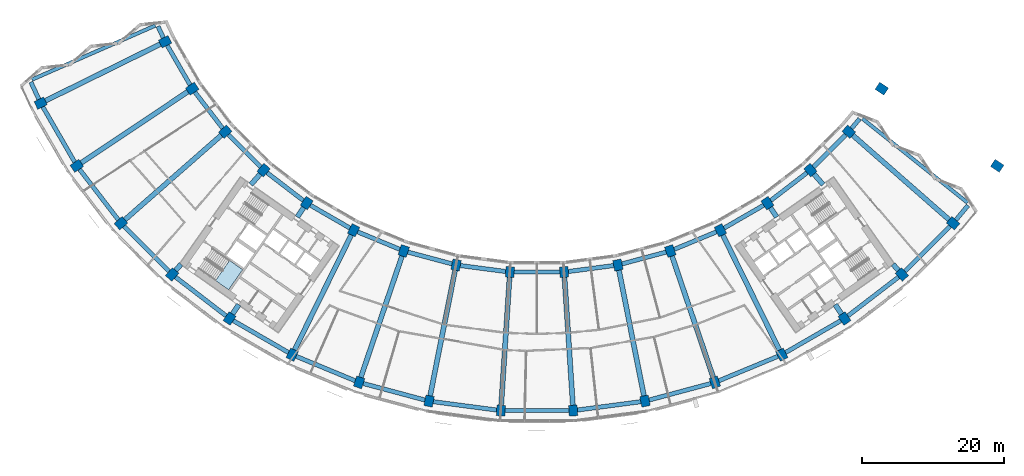
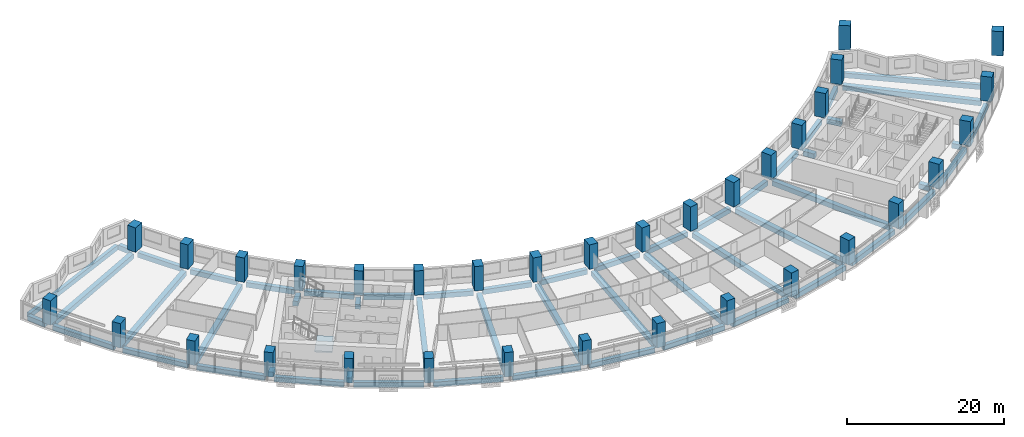
# One storey, part 1 of 29: 56 beams, 34 columns, 1 slab, 1 element without a shape of its own.
"""IFC4 building model written with IfcOpenShell, lengths in metres."""

import ifcopenshell
import ifcopenshell.guid

model = None  # the IFC model being written
_history = None  # IfcOwnerHistory: only IFC2X3 demands one
_inside = {}  # id of a spatial element -> (the spatial element, [elements in it])
_under = {}  # id of a project, library or spatial element -> (it, [spatial elements below it])
_declared = {}  # id of a project -> (the project, [libraries it declares])
_typed = {}  # id of a type object -> (the type object, [elements of that type])
_made_of = {}  # id of a material, layer set ... -> (it, [elements and type objects made of it])


def new_model(schema):
    """Start an empty IFC model of exactly this schema.

    Asked for "IFC4X3", IfcOpenShell would pick the latest addendum, in which some entities
    have other attributes; the version numbers below select the first issue.
    IFC2X3 requires an IfcOwnerHistory on every rooted entity: one is made here for all.
    """
    global model, _history
    if schema == "IFC4X3":
        model = ifcopenshell.file(schema_version=(4, 3, 0, 0))
    else:
        model = ifcopenshell.file(schema=schema)
    _inside.clear()
    _under.clear()
    _declared.clear()
    _typed.clear()
    _made_of.clear()
    _history = None
    if model.schema == "IFC2X3":
        org = make("IfcOrganization", Name="unknown")
        user = make(
            "IfcPersonAndOrganization",
            ThePerson=make("IfcPerson", FamilyName="unknown"),
            TheOrganization=org,
        )
        app = make(
            "IfcApplication",
            ApplicationDeveloper=org,
            Version="unknown",
            ApplicationFullName="unknown",
            ApplicationIdentifier="unknown",
        )
        _history = make(
            "IfcOwnerHistory",
            OwningUser=user,
            OwningApplication=app,
            ChangeAction="ADDED",
            CreationDate=0,
        )
    return model


def make(cls, **values):
    """One entity of the class cls with the attributes given. An attribute that is None is left unset."""
    return model.create_entity(
        cls, **{name: value for name, value in values.items() if value is not None}
    )


def rooted(cls, **values):
    """An entity with a GlobalId (a new one), such as an element, a storey or a relation."""
    return make(cls, GlobalId=ifcopenshell.guid.new(), OwnerHistory=_history, **values)


def si_unit(unit_type, name, prefix=None):
    """IfcSIUnit, for example si_unit("LENGTHUNIT", "METRE", prefix="MILLI")."""
    return make("IfcSIUnit", UnitType=unit_type, Prefix=prefix, Name=name)


def assignment(units):
    """IfcUnitAssignment: the units of a project."""
    return None if units is None else make("IfcUnitAssignment", Units=units)


def point(xyz):
    """IfcCartesianPoint."""
    return None if xyz is None else make("IfcCartesianPoint", Coordinates=xyz)


def direction(xyz):
    """IfcDirection."""
    return None if xyz is None else make("IfcDirection", DirectionRatios=xyz)


def frame(location, z_axis=None, x_axis=None):
    """IfcAxis2Placement3D, a coordinate frame: its origin and axes. An axis left out is left unset."""
    return make(
        "IfcAxis2Placement3D",
        Location=point(location),
        Axis=direction(z_axis),
        RefDirection=direction(x_axis),
    )


def frame_2d(location, x_axis=None):
    """IfcAxis2Placement2D, a coordinate frame in the plane: its origin and x axis."""
    return make(
        "IfcAxis2Placement2D", Location=point(location), RefDirection=direction(x_axis)
    )


def origin():
    """The frame at (0, 0, 0) with its axes left unset."""
    return frame((0.0, 0.0, 0.0))


def origin_2d():
    """The frame at (0, 0) in the plane with its x axis left unset."""
    return frame_2d((0.0, 0.0))


def place(relative_to, where):
    """IfcLocalPlacement: puts the frame where relative to a parent placement (None: the world)."""
    return make(
        "IfcLocalPlacement", PlacementRelTo=relative_to, RelativePlacement=where
    )


def context(
    kind, dimensions, precision=None, world=None, true_north=None, identifier=None
):
    """IfcGeometricRepresentationContext, for example the 3D "Model" context."""
    return make(
        "IfcGeometricRepresentationContext",
        ContextIdentifier=identifier,
        ContextType=kind,
        CoordinateSpaceDimension=dimensions,
        Precision=precision,
        WorldCoordinateSystem=world,
        TrueNorth=true_north,
    )


def subcontext(parent, identifier, kind, view, scale=None):
    """IfcGeometricRepresentationSubContext, for example "Body" below "Model"."""
    return make(
        "IfcGeometricRepresentationSubContext",
        ContextIdentifier=identifier,
        ContextType=kind,
        ParentContext=parent,
        TargetScale=scale,
        TargetView=view,
    )


def project(units=None, contexts=None):
    """IfcProject with its units and contexts."""
    return rooted(
        "IfcProject",
        Name="project",
        RepresentationContexts=contexts,
        UnitsInContext=assignment(units),
    )


def spatial(cls, under=None, at=None, **own):
    """A site, building, storey or space (cls), placed at a placement, below another one or the project."""
    s = rooted(cls, ObjectPlacement=at, **own)
    if under is not None:
        _under.setdefault(under.id(), (under, []))[1].append(s)
    return s


def polyline(points):
    """IfcPolyline through the points."""
    return make("IfcPolyline", Points=[point(p) for p in points])


def profile(cls, at=None, kind="AREA", **sizes):
    """A parametric profile (cls). Its sizes go by their IFC names, for example OverallWidth=200.0."""
    return make(cls, ProfileType=kind, Position=at, **sizes)


def rectangle(**sizes):
    """IfcRectangleProfileDef."""
    return profile("IfcRectangleProfileDef", **sizes)


def outline(outer, holes=None, kind="AREA"):
    """IfcArbitraryClosedProfileDef: a profile drawn as a closed curve; with holes, ...WithVoids."""
    if holes is None:
        return make("IfcArbitraryClosedProfileDef", ProfileType=kind, OuterCurve=outer)
    return make(
        "IfcArbitraryProfileDefWithVoids",
        ProfileType=kind,
        OuterCurve=outer,
        InnerCurves=holes,
    )


def extrude(swept, where, along, depth):
    """IfcExtrudedAreaSolid: the profile swept, set in the frame where, extruded along a direction by depth."""
    return make(
        "IfcExtrudedAreaSolid",
        SweptArea=swept,
        Position=where,
        ExtrudedDirection=direction(along),
        Depth=depth,
    )


def shape(context_of_items, identifier, shape_type, items):
    """IfcShapeRepresentation: the items that make up one representation, for example the "Body"."""
    return make(
        "IfcShapeRepresentation",
        ContextOfItems=context_of_items,
        RepresentationIdentifier=identifier,
        RepresentationType=shape_type,
        Items=items,
    )


def material(Name=None, Category=None):
    """IfcMaterial."""
    return make("IfcMaterial", Name=Name, Category=Category)


def layer(
    of_material, thickness, ventilated=None, Name=None, Category=None, Priority=None
):
    """IfcMaterialLayer: one layer of a wall or slab, of a material (None: an air gap)."""
    return make(
        "IfcMaterialLayer",
        Material=of_material,
        LayerThickness=thickness,
        IsVentilated=ventilated,
        Name=Name,
        Category=Category,
        Priority=Priority,
    )


def layer_set(layers, Name=None):
    """IfcMaterialLayerSet."""
    return make("IfcMaterialLayerSet", MaterialLayers=layers, LayerSetName=Name)


def material_profile(
    of_material, cross_section, Name=None, Category=None, Priority=None
):
    """IfcMaterialProfile: a cross section and its material."""
    return make(
        "IfcMaterialProfile",
        Name=Name,
        Material=of_material,
        Profile=cross_section,
        Priority=Priority,
        Category=Category,
    )


def profile_set(profiles, Name=None, composite=None):
    """IfcMaterialProfileSet."""
    return make(
        "IfcMaterialProfileSet",
        Name=Name,
        MaterialProfiles=profiles,
        CompositeProfile=composite,
    )


def made_of(thing, what):
    """Note that an element or type object is made of a material, layer set ...; save() writes the relation."""
    if what is not None:
        _made_of.setdefault(what.id(), (what, []))[1].append(thing)
    return thing


def type_object(cls, material=None, **own):
    """A type object (cls), such as IfcWallType, which elements share."""
    return made_of(rooted(cls, **own), material)


def element(
    cls,
    number,
    at=None,
    inside=None,
    cuts=None,
    type_object=None,
    material=None,
    context=None,
    identifier="Body",
    shape_type=None,
    held_by="IfcProductDefinitionShape",
    body=None,
    shapes=None,
    **own,
):
    """One element of the class cls, such as IfcWall. Its Tag is "e" and its number.

    at: its placement. inside: the storey or other place that contains it. cuts: it is an
    opening in that element (IfcRelVoidsElement). A single representation is given by context,
    identifier, shape_type and body (its items); several are given by shapes. held_by: the class
    of the entity that holds the representations. save() writes the other relations.
    """
    e = rooted(cls, Tag="e%d" % number, ObjectPlacement=at, **own)
    if body is not None:
        shapes = [shape(context, identifier, shape_type, body)]
    if shapes is not None:
        e.Representation = make(held_by, Representations=shapes)
    if inside is not None:
        _inside.setdefault(inside.id(), (inside, []))[1].append(e)
    if cuts is not None:
        rooted(
            "IfcRelVoidsElement", RelatingBuildingElement=cuts, RelatedOpeningElement=e
        )
    if type_object is not None:
        _typed.setdefault(type_object.id(), (type_object, []))[1].append(e)
    return made_of(e, material)


def aggregate(whole, parts):
    """IfcRelAggregates: a whole, such as a stair, and the parts it consists of."""
    return rooted("IfcRelAggregates", RelatingObject=whole, RelatedObjects=parts)


def save(model, path):
    """Write the relations noted so far, then the file.

    IfcRelAggregates (storeys below a building ...), IfcRelContainedInSpatialStructure (elements
    in a storey), IfcRelDefinesByType, IfcRelAssociatesMaterial and IfcRelDeclares: one each for
    every whole, place, type object, material and project.
    """
    for whole, parts in _under.values():
        aggregate(whole, parts)
    for where, things in _inside.values():
        rooted(
            "IfcRelContainedInSpatialStructure",
            RelatedElements=things,
            RelatingStructure=where,
        )
    for kind, things in _typed.values():
        rooted("IfcRelDefinesByType", RelatedObjects=things, RelatingType=kind)
    for what, things in _made_of.values():
        rooted("IfcRelAssociatesMaterial", RelatedObjects=things, RelatingMaterial=what)
    for by, libraries in _declared.values():
        rooted("IfcRelDeclares", RelatingContext=by, RelatedDefinitions=libraries)
    model.write(path)


model = new_model("IFC4")

# Units and contexts
model_context = context("Model", 3, precision=1e-05, world=origin(), true_north=direction((0.0, 1.0)))
body_context = subcontext(model_context, "Body", "Model", "MODEL_VIEW")
ifc_project = project(units=[si_unit("LENGTHUNIT", "METRE"), si_unit("AREAUNIT", "SQUARE_METRE"), si_unit("VOLUMEUNIT", "CUBIC_METRE"), si_unit("PLANEANGLEUNIT", "RADIAN"), si_unit("MASSUNIT", "GRAM", prefix="KILO")], contexts=[model_context])

# Site, building, storey
site_placement = place(None, origin())
site = spatial("IfcSite", under=ifc_project, at=site_placement, CompositionType="ELEMENT")
building_placement = place(site_placement, origin())
building = spatial("IfcBuilding", under=site, at=building_placement, Name="Qamariyya Broadcast Tower", CompositionType="ELEMENT")
storey_placement = place(building_placement, frame((0.0, 0.0, 136.699951171875)))
storey = spatial("IfcBuildingStorey", under=building, at=storey_placement, Name="L31", CompositionType="ELEMENT", Elevation=136.699951171875)

# Columns
ifc_material_1 = material(Name="Concrete C70/85", Category="concrete")
ifc_material_profile_1 = material_profile(ifc_material_1, rectangle(XDim=1.199951171875, YDim=1.5, at=origin_2d()))
ifc_profile_set_1 = profile_set([ifc_material_profile_1], Name="Concrete C70/85")
column_type = type_object("IfcColumnType", Name="RC column 1200 x 1500 C70/85", PredefinedType="COLUMN", material=ifc_profile_set_1)
for number, where, z_axis, x_axis, name in (
    (1, (-52.242919921875, -25.763427734375, 0.0), (0.0, 0.0, 1.0), (0.442288690219, -0.896872741533, 0.0), "Column C7 L31 B-R02"),
    (2, (-69.73193359375, -34.387939453125, 0.0), (0.0, 0.0, 1.0), (0.442288690219, -0.896872741533, 0.0), "Column C7 L31 C-R02"),
    (3, (-48.43310546875, -32.362060546875, 0.0), (0.0, 0.0, 1.0), (0.55557023302, -0.831469612303, 0.0), "Column C7 L31 B-R03"),
    (4, (-64.646728515625, -43.195556640625, 0.0), (0.0, 0.0, 1.0), (0.55557023302, -0.831469612303, 0.0), "Column C7 L31 C-R03"),
    (5, (-43.794677734375, -38.406982421875, 0.0), (0.0, 0.0, 1.0), (0.6593458151, -0.751839807479, 0.0), "Column C7 L31 B-R04"),
    (6, (-58.45556640625, -51.26416015625, 0.0), (0.0, 0.0, 1.0), (0.6593458151, -0.751839807479, 0.0), "Column C7 L31 C-R04"),
    (7, (-38.406982421875, -43.794677734375, 0.0), (0.0, 0.0, 1.0), (0.751839807479, -0.6593458151, 0.0), "Column C7 L31 B-R05"),
    (8, (-51.26416015625, -58.45556640625, 0.0), (0.0, 0.0, 1.0), (0.751839807479, -0.6593458151, 0.0), "Column C7 L31 C-R05"),
    (9, (-32.362060546875, -48.43310546875, 0.0), (0.0, 0.0, 1.0), (0.831469612303, -0.55557023302, 0.0), "Column C7 L31 B-R06"),
    (10, (-43.195556640625, -64.646728515625, 0.0), (0.0, 0.0, 1.0), (0.831469612303, -0.55557023302, 0.0), "Column C7 L31 C-R06"),
    (11, (-25.763427734375, -52.242919921875, 0.0), (0.0, 0.0, 1.0), (0.896872741533, -0.442288690219, 0.0), "Column C7 L31 B-R07"),
    (12, (-34.387939453125, -69.73193359375, 0.0), (0.0, 0.0, 1.0), (0.896872741533, -0.442288690219, 0.0), "Column C7 L31 C-R07"),
    (13, (-18.723876953125, -55.15869140625, 0.0), (0.0, 0.0, 1.0), (0.946930129495, -0.321439465303, 0.0), "Column C7 L31 B-R08"),
    (14, (-24.991943359375, -73.623779296875, 0.0), (0.0, 0.0, 1.0), (0.946930129495, -0.321439465303, 0.0), "Column C7 L31 C-R08"),
    (15, (-11.364013671875, -57.130859375, 0.0), (0.0, 0.0, 1.0), (0.980785280403, -0.195090322016, 0.0), "Column C7 L31 B-R09"),
    (16, (-15.168212890625, -76.256103515625, 0.0), (0.0, 0.0, 1.0), (0.980785280403, -0.195090322016, 0.0), "Column C7 L31 C-R09"),
    (17, (-3.809814453125, -58.125244140625, 0.0), (0.0, 0.0, 1.0), (0.997858923239, -0.06540312923, 0.0), "Column C7 L31 B-R10"),
    (18, (-5.085205078125, -77.58349609375, 0.0), (0.0, 0.0, 1.0), (0.997858923239, -0.06540312923, 0.0), "Column C7 L31 C-R10"),
    (19, (3.809814453125, -58.125244140625, 0.0), (0.0, 0.0, 1.0), (0.997858923239, 0.06540312923, 0.0), "Column C7 L31 B-R11"),
    (20, (5.085205078125, -77.58349609375, 0.0), (0.0, 0.0, 1.0), (0.997858923239, 0.06540312923, 0.0), "Column C7 L31 C-R11"),
    (21, (11.364013671875, -57.130859375, 0.0), (0.0, 0.0, 1.0), (0.980785280403, 0.195090322016, 0.0), "Column C7 L31 B-R12"),
    (22, (15.168212890625, -76.256103515625, 0.0), (0.0, 0.0, 1.0), (0.980785280403, 0.195090322016, 0.0), "Column C7 L31 C-R12"),
    (23, (18.723876953125, -55.15869140625, 0.0), (0.0, 0.0, 1.0), (0.946930129495, 0.321439465303, 0.0), "Column C7 L31 B-R13"),
    (24, (24.991943359375, -73.623779296875, 0.0), (0.0, 0.0, 1.0), (0.946930129495, 0.321439465303, 0.0), "Column C7 L31 C-R13"),
    (25, (25.763427734375, -52.242919921875, 0.0), (0.0, 0.0, 1.0), (0.896872741533, 0.442288690219, 0.0), "Column C7 L31 B-R14"),
    (26, (34.387939453125, -69.73193359375, 0.0), (0.0, 0.0, 1.0), (0.896872741533, 0.442288690219, 0.0), "Column C7 L31 C-R14"),
    (27, (32.362060546875, -48.43310546875, 0.0), (0.0, 0.0, 1.0), (0.831469612303, 0.55557023302, 0.0), "Column C7 L31 B-R15"),
    (28, (43.195556640625, -64.646728515625, 0.0), (0.0, 0.0, 1.0), (0.831469612303, 0.55557023302, 0.0), "Column C7 L31 C-R15"),
    (29, (38.406982421875, -43.794677734375, 0.0), (0.0, 0.0, 1.0), (0.751839807479, 0.6593458151, 0.0), "Column C7 L31 B-R16"),
    (30, (51.26416015625, -58.45556640625, 0.0), (0.0, 0.0, 1.0), (0.751839807479, 0.6593458151, 0.0), "Column C7 L31 C-R16"),
    (31, (43.794677734375, -38.406982421875, 0.0), (0.0, 0.0, 1.0), (0.6593458151, 0.751839807479, 0.0), "Column C7 L31 B-R17"),
    (32, (58.45556640625, -51.26416015625, 0.0), (0.0, 0.0, 1.0), (0.6593458151, 0.751839807479, 0.0), "Column C7 L31 C-R17"),
    (33, (48.43310546875, -32.362060546875, 0.0), (0.0, 0.0, 1.0), (0.55557023302, 0.831469612303, 0.0), "Column C7 L31 B-R18"),
    (34, (64.646728515625, -43.195556640625, 0.0), (0.0, 0.0, 1.0), (0.55557023302, 0.831469612303, 0.0), "Column C7 L31 C-R18"),
):
    element("IfcColumn", number, at=place(storey_placement, frame(where, z_axis=z_axis, x_axis=x_axis)), inside=storey, type_object=column_type, Name=name, PredefinedType="COLUMN", context=body_context, shape_type="SweptSolid", body=[
        extrude(rectangle(XDim=1.199951171875, YDim=1.5, at=origin_2d()), origin(), (0.0, 0.0, 1.0), 3.800048828125),
    ])

# Beams
ifc_material_2 = material(Name="Concrete C50/60", Category="concrete")
ifc_material_profile_2 = material_profile(ifc_material_2, rectangle(XDim=0.60009765625, YDim=0.75, at=origin_2d()))
ifc_profile_set_2 = profile_set([ifc_material_profile_2], Name="Concrete C50/60")
beam_type_1 = type_object("IfcBeamType", Name="RC edge beam 600 x 750 C50/60", PredefinedType="SPANDREL", material=ifc_profile_set_2)
for number, where, z_axis, x_axis, name in (
    (35, (-51.942138671875, -26.283935546875, -0.675048828125), (0.49999360328, -0.866029096901, 0.0), (0.866029096901, 0.49999360328, 0.0), "Edge beam B15 L31 B R02-R03"),
    (36, (-48.067138671875, -32.839111328125, -0.675048828125), (0.608778135192, -0.793340520906, 0.0), (0.793340520906, 0.608778135192, 0.0), "Edge beam B15 L31 B R03-R04"),
):
    element("IfcBeam", number, at=place(storey_placement, frame(where, z_axis=z_axis, x_axis=x_axis)), inside=storey, type_object=beam_type_1, Name=name, PredefinedType="SPANDREL", context=body_context, shape_type="SweptSolid", body=[
        extrude(rectangle(XDim=0.60009765625, YDim=0.75, at=origin_2d()), origin(), (0.0, 0.0, 1.0), 6.4169921875),
    ])
beam_1_placement = place(storey_placement, frame((-43.369384765625, -38.83203125, -0.675048828125), z_axis=(0.707106781187, -0.707106781187, 0.0), x_axis=(0.707106781187, 0.707106781187, 0.0)))
element("IfcBeam", 37, at=beam_1_placement, inside=storey, type_object=beam_type_1, Name="Edge beam B15 L31 B R04-R05", PredefinedType="SPANDREL", context=body_context, shape_type="SweptSolid", body=[
    extrude(rectangle(XDim=0.60009765625, YDim=0.75, at=origin_2d()), origin(), (0.0, 0.0, 1.0), 6.416748046875),
])
for number, where, z_axis, x_axis, name in (
    (38, (-37.929931640625, -44.16064453125, -0.675048828125), (0.793340520906, -0.608778135192, 0.0), (0.608778135192, 0.793340520906, 0.0), "Edge beam B15 L31 B R05-R06"),
    (39, (-31.84130859375, -48.733642578125, -0.675048828125), (0.866029096901, -0.49999360328, 0.0), (0.49999360328, 0.866029096901, 0.0), "Edge beam B15 L31 B R06-R07"),
    (40, (-25.207763671875, -52.472900390625, -0.675048828125), (0.923884212686, -0.382672133229, 0.0), (0.382672133229, 0.923884212686, 0.0), "Edge beam B15 L31 B R07-R08"),
    (41, (-18.14306640625, -55.314208984375, -0.675048828125), (0.965922916603, -0.258829903956, 0.0), (0.258829903956, 0.965922916603, 0.0), "Edge beam B15 L31 B R08-R09"),
    (42, (-10.767822265625, -57.209228515625, -0.675048828125), (0.991443543958, -0.1305361986, 0.0), (0.1305361986, 0.991443543958, 0.0), "Edge beam B15 L31 B R09-R10"),
    (43, (-3.20849609375, -58.125244140625, -0.675048828125), (1.0, 0.0, 0.0), (0.0, 1.0, 0.0), "Edge beam B15 L31 B R10-R11"),
    (44, (4.40576171875, -58.046875, -0.675048828125), (0.991443543958, 0.1305361986, 0.0), (-0.1305361986, 0.991443543958, 0.0), "Edge beam B15 L31 B R11-R12"),
    (45, (11.94482421875, -56.97509765625, -0.675048828125), (0.965922916603, 0.258829903956, 0.0), (-0.258829903956, 0.965922916603, 0.0), "Edge beam B15 L31 B R12-R13"),
    (46, (19.279296875, -54.928466796875, -0.675048828125), (0.923884212686, 0.382672133229, 0.0), (-0.382672133229, 0.923884212686, 0.0), "Edge beam B15 L31 B R13-R14"),
    (47, (26.283935546875, -51.942138671875, -0.675048828125), (0.866029096901, 0.49999360328, 0.0), (-0.49999360328, 0.866029096901, 0.0), "Edge beam B15 L31 B R14-R15"),
    (48, (32.839111328125, -48.067138671875, -0.675048828125), (0.793340520906, 0.608778135192, 0.0), (-0.608778135192, 0.793340520906, 0.0), "Edge beam B15 L31 B R15-R16"),
):
    element("IfcBeam", number, at=place(storey_placement, frame(where, z_axis=z_axis, x_axis=x_axis)), inside=storey, type_object=beam_type_1, Name=name, PredefinedType="SPANDREL", context=body_context, shape_type="SweptSolid", body=[
        extrude(rectangle(XDim=0.60009765625, YDim=0.75, at=origin_2d()), origin(), (0.0, 0.0, 1.0), 6.4169921875),
    ])
beam_2_placement = place(storey_placement, frame((38.83203125, -43.369384765625, -0.675048828125), z_axis=(0.707106781187, 0.707106781187, 0.0), x_axis=(-0.707106781187, 0.707106781187, 0.0)))
element("IfcBeam", 49, at=beam_2_placement, inside=storey, type_object=beam_type_1, Name="Edge beam B15 L31 B R16-R17", PredefinedType="SPANDREL", context=body_context, shape_type="SweptSolid", body=[
    extrude(rectangle(XDim=0.60009765625, YDim=0.75, at=origin_2d()), origin(), (0.0, 0.0, 1.0), 6.416748046875),
])
beam_3_placement = place(storey_placement, frame((-69.43115234375, -34.90869140625, -0.675048828125), z_axis=(0.499989544228, -0.866031440343, 0.0), x_axis=(0.866031440343, 0.499989544228, 0.0)))
element("IfcBeam", 50, at=beam_3_placement, inside=storey, type_object=beam_type_1, Name="Edge beam B15 L31 C R02-R03", PredefinedType="SPANDREL", context=body_context, shape_type="SweptSolid", body=[
    extrude(rectangle(XDim=0.60009765625, YDim=0.75, at=origin_2d()), origin(), (0.0, 0.0, 1.0), 8.967529296875),
])
beam_4_placement = place(storey_placement, frame((-64.28076171875, -43.672607421875, -0.675048828125), z_axis=(0.608766985019, -0.793349076984, 0.0), x_axis=(0.793349076984, 0.608766985019, 0.0)))
element("IfcBeam", 51, at=beam_4_placement, inside=storey, type_object=beam_type_1, Name="Edge beam B15 L31 C R03-R04", PredefinedType="SPANDREL", context=body_context, shape_type="SweptSolid", body=[
    extrude(rectangle(XDim=0.60009765625, YDim=0.75, at=origin_2d()), origin(), (0.0, 0.0, 1.0), 8.9677734375),
])
beam_5_placement = place(storey_placement, frame((-58.0302734375, -51.689208984375, -0.675048828125), z_axis=(0.707106781187, -0.707106781187, 0.0), x_axis=(0.707106781187, 0.707106781187, 0.0)))
element("IfcBeam", 52, at=beam_5_placement, inside=storey, type_object=beam_type_1, Name="Edge beam B15 L31 C R04-R05", PredefinedType="SPANDREL", context=body_context, shape_type="SweptSolid", body=[
    extrude(rectangle(XDim=0.60009765625, YDim=0.75, at=origin_2d()), origin(), (0.0, 0.0, 1.0), 8.967529296875),
])
beam_6_placement = place(storey_placement, frame((-50.787109375, -58.821533203125, -0.675048828125), z_axis=(0.793349076984, -0.608766985019, 0.0), x_axis=(0.608766985019, 0.793349076984, 0.0)))
element("IfcBeam", 53, at=beam_6_placement, inside=storey, type_object=beam_type_1, Name="Edge beam B15 L31 C R05-R06", PredefinedType="SPANDREL", context=body_context, shape_type="SweptSolid", body=[
    extrude(rectangle(XDim=0.60009765625, YDim=0.75, at=origin_2d()), origin(), (0.0, 0.0, 1.0), 8.9677734375),
])
beam_7_placement = place(storey_placement, frame((-42.6748046875, -64.947509765625, -0.675048828125), z_axis=(0.866031440343, -0.499989544228, 0.0), x_axis=(0.499989544228, 0.866031440343, 0.0)))
element("IfcBeam", 54, at=beam_7_placement, inside=storey, type_object=beam_type_1, Name="Edge beam B15 L31 C R06-R07", PredefinedType="SPANDREL", context=body_context, shape_type="SweptSolid", body=[
    extrude(rectangle(XDim=0.60009765625, YDim=0.75, at=origin_2d()), origin(), (0.0, 0.0, 1.0), 8.967529296875),
])
beam_8_placement = place(storey_placement, frame((-33.83251953125, -69.9619140625, -0.675048828125), z_axis=(0.923877140182, -0.382689207907, 0.0), x_axis=(0.382689207907, 0.923877140182, 0.0)))
element("IfcBeam", 55, at=beam_8_placement, inside=storey, type_object=beam_type_1, Name="Edge beam B15 L31 C R07-R08", PredefinedType="SPANDREL", context=body_context, shape_type="SweptSolid", body=[
    extrude(rectangle(XDim=0.60009765625, YDim=0.75, at=origin_2d()), origin(), (0.0, 0.0, 1.0), 8.9677734375),
])
for number, where, z_axis, x_axis, name in (
    (56, (-24.4111328125, -73.779541015625, -0.675048828125), (0.965931525183, -0.258797775603, 0.0), (0.258797775603, 0.965931525183, 0.0), "Edge beam B15 L31 C R08-R09"),
    (57, (-14.572021484375, -76.33447265625, -0.675048828125), (0.991442708618, -0.130542542983, 0.0), (0.130542542983, 0.991442708618, 0.0), "Edge beam B15 L31 C R09-R10"),
):
    element("IfcBeam", number, at=place(storey_placement, frame(where, z_axis=z_axis, x_axis=x_axis)), inside=storey, type_object=beam_type_1, Name=name, PredefinedType="SPANDREL", context=body_context, shape_type="SweptSolid", body=[
        extrude(rectangle(XDim=0.60009765625, YDim=0.75, at=origin_2d()), origin(), (0.0, 0.0, 1.0), 8.967529296875),
    ])
beam_9_placement = place(storey_placement, frame((-4.48388671875, -77.58349609375, -0.675048828125), z_axis=(1.0, 0.0, 0.0), x_axis=(0.0, 1.0, 0.0)))
element("IfcBeam", 58, at=beam_9_placement, inside=storey, type_object=beam_type_1, Name="Edge beam B15 L31 C R10-R11", PredefinedType="SPANDREL", context=body_context, shape_type="SweptSolid", body=[
    extrude(rectangle(XDim=0.60009765625, YDim=0.75, at=origin_2d()), origin(), (0.0, 0.0, 1.0), 8.9677734375),
])
for number, where, z_axis, x_axis, name in (
    (59, (5.68115234375, -77.505126953125, -0.675048828125), (0.991442708618, 0.130542542983, 0.0), (-0.130542542983, 0.991442708618, 0.0), "Edge beam B15 L31 C R11-R12"),
    (60, (15.7490234375, -76.100341796875, -0.675048828125), (0.965931525183, 0.258797775603, 0.0), (-0.258797775603, 0.965931525183, 0.0), "Edge beam B15 L31 C R12-R13"),
):
    element("IfcBeam", number, at=place(storey_placement, frame(where, z_axis=z_axis, x_axis=x_axis)), inside=storey, type_object=beam_type_1, Name=name, PredefinedType="SPANDREL", context=body_context, shape_type="SweptSolid", body=[
        extrude(rectangle(XDim=0.60009765625, YDim=0.75, at=origin_2d()), origin(), (0.0, 0.0, 1.0), 8.967529296875),
    ])
beam_10_placement = place(storey_placement, frame((25.54736328125, -73.393798828125, -0.675048828125), z_axis=(0.923877140182, 0.382689207907, 0.0), x_axis=(-0.382689207907, 0.923877140182, 0.0)))
element("IfcBeam", 61, at=beam_10_placement, inside=storey, type_object=beam_type_1, Name="Edge beam B15 L31 C R13-R14", PredefinedType="SPANDREL", context=body_context, shape_type="SweptSolid", body=[
    extrude(rectangle(XDim=0.60009765625, YDim=0.75, at=origin_2d()), origin(), (0.0, 0.0, 1.0), 8.9677734375),
])
beam_11_placement = place(storey_placement, frame((34.90869140625, -69.43115234375, -0.675048828125), z_axis=(0.866031440343, 0.499989544228, 0.0), x_axis=(-0.499989544228, 0.866031440343, 0.0)))
element("IfcBeam", 62, at=beam_11_placement, inside=storey, type_object=beam_type_1, Name="Edge beam B15 L31 C R14-R15", PredefinedType="SPANDREL", context=body_context, shape_type="SweptSolid", body=[
    extrude(rectangle(XDim=0.60009765625, YDim=0.75, at=origin_2d()), origin(), (0.0, 0.0, 1.0), 8.967529296875),
])
beam_12_placement = place(storey_placement, frame((43.672607421875, -64.28076171875, -0.675048828125), z_axis=(0.793349076984, 0.608766985019, 0.0), x_axis=(-0.608766985019, 0.793349076984, 0.0)))
element("IfcBeam", 63, at=beam_12_placement, inside=storey, type_object=beam_type_1, Name="Edge beam B15 L31 C R15-R16", PredefinedType="SPANDREL", context=body_context, shape_type="SweptSolid", body=[
    extrude(rectangle(XDim=0.60009765625, YDim=0.75, at=origin_2d()), origin(), (0.0, 0.0, 1.0), 8.9677734375),
])
beam_13_placement = place(storey_placement, frame((51.689208984375, -58.0302734375, -0.675048828125), z_axis=(0.707106781187, 0.707106781187, 0.0), x_axis=(-0.707106781187, 0.707106781187, 0.0)))
element("IfcBeam", 64, at=beam_13_placement, inside=storey, type_object=beam_type_1, Name="Edge beam B15 L31 C R16-R17", PredefinedType="SPANDREL", context=body_context, shape_type="SweptSolid", body=[
    extrude(rectangle(XDim=0.60009765625, YDim=0.75, at=origin_2d()), origin(), (0.0, 0.0, 1.0), 8.967529296875),
])
ifc_material_profile_3 = material_profile(ifc_material_2, rectangle(XDim=0.60009765625, YDim=0.75, at=origin_2d()))
ifc_profile_set_3 = profile_set([ifc_material_profile_3], Name="Concrete C50/60")
beam_type_2 = type_object("IfcBeamType", Name="RC horn beam 600 x 750 C50/60", PredefinedType="BEAM", material=ifc_profile_set_3)
beam_14_placement = place(storey_placement, frame((-52.49609375, -25.21923828125, -0.675048828125), z_axis=(-0.421843312386, 0.906668748659, 0.0), x_axis=(-0.906668748659, -0.421843312386, 0.0)))
element("IfcBeam", 65, at=beam_14_placement, inside=storey, type_object=beam_type_2, Name="Horn beam B14 L31 W B-R02", PredefinedType="BEAM", context=body_context, shape_type="SweptSolid", body=[
    extrude(rectangle(XDim=0.60009765625, YDim=0.75, at=origin_2d()), origin(), (0.0, 0.0, 1.0), 1.783203125),
])
beam_15_placement = place(storey_placement, frame((-69.985107421875, -33.84375, -0.675048828125), z_axis=(-0.421856882293, 0.906662434902, 0.0), x_axis=(-0.906662434902, -0.421856882293, 0.0)))
element("IfcBeam", 66, at=beam_15_placement, inside=storey, type_object=beam_type_2, Name="Horn beam B14 L31 W C-R02", PredefinedType="BEAM", context=body_context, shape_type="SweptSolid", body=[
    extrude(rectangle(XDim=0.60009765625, YDim=0.75, at=origin_2d()), origin(), (0.0, 0.0, 1.0), 2.66455078125),
])
beam_16_placement = place(storey_placement, frame((44.18017578125, -37.94677734375, -0.675048828125), z_axis=(0.642202467025, 0.766535055524, 0.0), x_axis=(-0.766535055524, 0.642202467025, 0.0)))
element("IfcBeam", 67, at=beam_16_placement, inside=storey, type_object=beam_type_2, Name="Horn beam B14 L31 E B-R17", PredefinedType="BEAM", context=body_context, shape_type="SweptSolid", body=[
    extrude(rectangle(XDim=0.60009765625, YDim=0.75, at=origin_2d()), origin(), (0.0, 0.0, 1.0), 1.782958984375),
])
beam_17_placement = place(storey_placement, frame((58.841064453125, -50.80419921875, -0.675048828125), z_axis=(0.642147105823, 0.766581433693, 0.0), x_axis=(-0.766581433693, 0.642147105823, 0.0)))
element("IfcBeam", 68, at=beam_17_placement, inside=storey, type_object=beam_type_2, Name="Horn beam B14 L31 E C-R17", PredefinedType="BEAM", context=body_context, shape_type="SweptSolid", body=[
    extrude(rectangle(XDim=0.60009765625, YDim=0.75, at=origin_2d()), origin(), (0.0, 0.0, 1.0), 2.664306640625),
])
ifc_material_profile_4 = material_profile(ifc_material_2, rectangle(XDim=0.5, YDim=0.75, at=origin_2d()))
ifc_profile_set_4 = profile_set([ifc_material_profile_4], Name="Concrete C50/60")
beam_type_3 = type_object("IfcBeamType", Name="RC horn cap beam 500 x 750 C50/60", PredefinedType="BEAM", material=ifc_profile_set_4)
for number, where, z_axis, x_axis, name in (
    (69, (-53.628662109375, -23.496337890625, -0.675048828125), (-0.915942857712, -0.401308710854, 0.0), (0.401308710854, -0.915942857712, 0.0), "Horn cap beam B17 L31 W B-C"),
    (70, (45.719970703125, -36.575927734375, -0.675048828125), (0.780868809443, -0.624695047554, 0.0), (0.624695047554, 0.780868809443, 0.0), "Horn cap beam B17 L31 E B-C"),
):
    element("IfcBeam", number, at=place(storey_placement, frame(where, z_axis=z_axis, x_axis=x_axis)), inside=storey, type_object=beam_type_3, Name=name, PredefinedType="BEAM", context=body_context, shape_type="SweptSolid", body=[
        extrude(rectangle(XDim=0.5, YDim=0.75, at=origin_2d()), origin(), (0.0, 0.0, 1.0), 18.89990234375),
    ])
ifc_material_profile_5 = material_profile(ifc_material_2, rectangle(XDim=0.699951171875, YDim=0.75, at=origin_2d()))
ifc_profile_set_5 = profile_set([ifc_material_profile_5], Name="Concrete C50/60")
beam_type_4 = type_object("IfcBeamType", Name="RC radial beam 700 x 750 C50/60", PredefinedType="BEAM", material=ifc_profile_set_5)
beam_18_placement = place(storey_placement, frame((-52.91552734375, -26.094970703125, -0.675048828125), z_axis=(-0.896871386501, -0.442291437941, 0.0), x_axis=(0.442291437941, -0.896871386501, 0.0)))
element("IfcBeam", 71, at=beam_18_placement, inside=storey, type_object=beam_type_4, Name="Radial beam B13 L31 R02 B-C", PredefinedType="BEAM", context=body_context, shape_type="SweptSolid", body=[
    extrude(rectangle(XDim=0.699951171875, YDim=0.75, at=origin_2d()), origin(), (0.0, 0.0, 1.0), 17.999755859375),
])
beam_19_placement = place(storey_placement, frame((-49.056640625, -32.778564453125, -0.675048828125), z_axis=(-0.831471836778, -0.555566903843, 0.0), x_axis=(0.555566903843, -0.831471836778, 0.0)))
element("IfcBeam", 72, at=beam_19_placement, inside=storey, type_object=beam_type_4, Name="Radial beam B13 L31 R03 B-C", PredefinedType="BEAM", context=body_context, shape_type="SweptSolid", body=[
    extrude(rectangle(XDim=0.699951171875, YDim=0.75, at=origin_2d()), origin(), (0.0, 0.0, 1.0), 18.0),
])
beam_20_placement = place(storey_placement, frame((-44.358642578125, -38.9013671875, -0.675048828125), z_axis=(-0.751837671483, -0.659348250729, 0.0), x_axis=(0.659348250729, -0.751837671483, 0.0)))
element("IfcBeam", 73, at=beam_20_placement, inside=storey, type_object=beam_type_4, Name="Radial beam B13 L31 R04 B-C", PredefinedType="BEAM", context=body_context, shape_type="SweptSolid", body=[
    extrude(rectangle(XDim=0.699951171875, YDim=0.75, at=origin_2d()), origin(), (0.0, 0.0, 1.0), 17.999755859375),
])
beam_21_placement = place(storey_placement, frame((-38.9013671875, -44.358642578125, -0.675048828125), z_axis=(-0.659376140982, -0.751813211312, 0.0), x_axis=(0.751813211312, -0.659376140982, 0.0)))
element("IfcBeam", 74, at=beam_21_placement, inside=storey, type_object=beam_type_4, Name="Radial beam B13 L31 R05 B-C", PredefinedType="BEAM", context=body_context, shape_type="SweptSolid", body=[
    extrude(rectangle(XDim=0.699951171875, YDim=0.75, at=origin_2d()), origin(), (0.0, 0.0, 1.0), 1.96240234375),
])
beam_22_placement = place(storey_placement, frame((-50.011962890625, -57.027587890625, -0.675048828125), z_axis=(-0.659271387296, -0.751905072395, 0.0), x_axis=(0.751905072395, -0.659271387296, 0.0)))
element("IfcBeam", 75, at=beam_22_placement, inside=storey, type_object=beam_type_4, Name="Radial beam B13 L31 R05 B-C", PredefinedType="BEAM", context=body_context, shape_type="SweptSolid", body=[
    extrude(rectangle(XDim=0.699951171875, YDim=0.75, at=origin_2d()), origin(), (0.0, 0.0, 1.0), 1.149169921875),
])
beam_23_placement = place(storey_placement, frame((-32.778564453125, -49.056640625, -0.675048828125), z_axis=(-0.555537373717, -0.831491567248, 0.0), x_axis=(0.831491567248, -0.555537373717, 0.0)))
element("IfcBeam", 76, at=beam_23_placement, inside=storey, type_object=beam_type_4, Name="Radial beam B13 L31 R06 B-C", PredefinedType="BEAM", context=body_context, shape_type="SweptSolid", body=[
    extrude(rectangle(XDim=0.699951171875, YDim=0.75, at=origin_2d()), origin(), (0.0, 0.0, 1.0), 1.614501953125),
])
beam_24_placement = place(storey_placement, frame((-41.89990234375, -62.707763671875, -0.675048828125), z_axis=(-0.555554602959, -0.831480055762, 0.0), x_axis=(0.831480055762, -0.555554602959, 0.0)))
element("IfcBeam", 77, at=beam_24_placement, inside=storey, type_object=beam_type_4, Name="Radial beam B13 L31 R06 B-C", PredefinedType="BEAM", context=body_context, shape_type="SweptSolid", body=[
    extrude(rectangle(XDim=0.699951171875, YDim=0.75, at=origin_2d()), origin(), (0.0, 0.0, 1.0), 1.58203125),
])
beam_25_placement = place(storey_placement, frame((-26.094970703125, -52.91552734375, -0.675048828125), z_axis=(-0.442291437941, -0.896871386501, 0.0), x_axis=(0.896871386501, -0.442291437941, 0.0)))
element("IfcBeam", 78, at=beam_25_placement, inside=storey, type_object=beam_type_4, Name="Radial beam B13 L31 R07 B-C", PredefinedType="BEAM", context=body_context, shape_type="SweptSolid", body=[
    extrude(rectangle(XDim=0.699951171875, YDim=0.75, at=origin_2d()), origin(), (0.0, 0.0, 1.0), 17.999755859375),
])
beam_26_placement = place(storey_placement, frame((-18.96484375, -55.868896484375, -0.675048828125), z_axis=(-0.321439476461, -0.946930125707, 0.0), x_axis=(0.946930125707, -0.321439476461, 0.0)))
element("IfcBeam", 79, at=beam_26_placement, inside=storey, type_object=beam_type_4, Name="Radial beam B13 L31 R08 B-C", PredefinedType="BEAM", context=body_context, shape_type="SweptSolid", body=[
    extrude(rectangle(XDim=0.699951171875, YDim=0.75, at=origin_2d()), origin(), (0.0, 0.0, 1.0), 18.0),
])
beam_27_placement = place(storey_placement, frame((-11.51025390625, -57.8662109375, -0.675048828125), z_axis=(-0.195093569287, -0.980784634475, 0.0), x_axis=(0.980784634475, -0.195093569287, 0.0)))
element("IfcBeam", 80, at=beam_27_placement, inside=storey, type_object=beam_type_4, Name="Radial beam B13 L31 R09 B-C", PredefinedType="BEAM", context=body_context, shape_type="SweptSolid", body=[
    extrude(rectangle(XDim=0.699951171875, YDim=0.75, at=origin_2d()), origin(), (0.0, 0.0, 1.0), 18.000244140625),
])
for number, where, z_axis, x_axis, name in (
    (81, (-3.85888671875, -58.873779296875, -0.675048828125), (-0.065402689504, -0.99785895206, 0.0), (0.99785895206, -0.065402689504, 0.0), "Radial beam B13 L31 R10 B-C"),
    (82, (3.85888671875, -58.873779296875, -0.675048828125), (0.065402689504, -0.99785895206, 0.0), (0.99785895206, 0.065402689504, 0.0), "Radial beam B13 L31 R11 B-C"),
):
    element("IfcBeam", number, at=place(storey_placement, frame(where, z_axis=z_axis, x_axis=x_axis)), inside=storey, type_object=beam_type_4, Name=name, PredefinedType="BEAM", context=body_context, shape_type="SweptSolid", body=[
        extrude(rectangle(XDim=0.699951171875, YDim=0.75, at=origin_2d()), origin(), (0.0, 0.0, 1.0), 18.0),
    ])
beam_28_placement = place(storey_placement, frame((11.51025390625, -57.8662109375, -0.675048828125), z_axis=(0.195093569287, -0.980784634475, 0.0), x_axis=(0.980784634475, 0.195093569287, 0.0)))
element("IfcBeam", 83, at=beam_28_placement, inside=storey, type_object=beam_type_4, Name="Radial beam B13 L31 R12 B-C", PredefinedType="BEAM", context=body_context, shape_type="SweptSolid", body=[
    extrude(rectangle(XDim=0.699951171875, YDim=0.75, at=origin_2d()), origin(), (0.0, 0.0, 1.0), 18.000244140625),
])
beam_29_placement = place(storey_placement, frame((18.96484375, -55.868896484375, -0.675048828125), z_axis=(0.321439476461, -0.946930125707, 0.0), x_axis=(0.946930125707, 0.321439476461, 0.0)))
element("IfcBeam", 84, at=beam_29_placement, inside=storey, type_object=beam_type_4, Name="Radial beam B13 L31 R13 B-C", PredefinedType="BEAM", context=body_context, shape_type="SweptSolid", body=[
    extrude(rectangle(XDim=0.699951171875, YDim=0.75, at=origin_2d()), origin(), (0.0, 0.0, 1.0), 18.0),
])
beam_30_placement = place(storey_placement, frame((26.094970703125, -52.91552734375, -0.675048828125), z_axis=(0.442291437941, -0.896871386501, 0.0), x_axis=(0.896871386501, 0.442291437941, 0.0)))
element("IfcBeam", 85, at=beam_30_placement, inside=storey, type_object=beam_type_4, Name="Radial beam B13 L31 R14 B-C", PredefinedType="BEAM", context=body_context, shape_type="SweptSolid", body=[
    extrude(rectangle(XDim=0.699951171875, YDim=0.75, at=origin_2d()), origin(), (0.0, 0.0, 1.0), 17.999755859375),
])
beam_31_placement = place(storey_placement, frame((32.778564453125, -49.056640625, -0.675048828125), z_axis=(0.555537373717, -0.831491567248, 0.0), x_axis=(0.831491567248, 0.555537373717, 0.0)))
element("IfcBeam", 86, at=beam_31_placement, inside=storey, type_object=beam_type_4, Name="Radial beam B13 L31 R15 B-C", PredefinedType="BEAM", context=body_context, shape_type="SweptSolid", body=[
    extrude(rectangle(XDim=0.699951171875, YDim=0.75, at=origin_2d()), origin(), (0.0, 0.0, 1.0), 1.614501953125),
])
beam_32_placement = place(storey_placement, frame((41.89990234375, -62.707763671875, -0.675048828125), z_axis=(0.555554602959, -0.831480055762, 0.0), x_axis=(0.831480055762, 0.555554602959, 0.0)))
element("IfcBeam", 87, at=beam_32_placement, inside=storey, type_object=beam_type_4, Name="Radial beam B13 L31 R15 B-C", PredefinedType="BEAM", context=body_context, shape_type="SweptSolid", body=[
    extrude(rectangle(XDim=0.699951171875, YDim=0.75, at=origin_2d()), origin(), (0.0, 0.0, 1.0), 1.58203125),
])
beam_33_placement = place(storey_placement, frame((38.9013671875, -44.358642578125, -0.675048828125), z_axis=(0.659376140982, -0.751813211312, 0.0), x_axis=(0.751813211312, 0.659376140982, 0.0)))
element("IfcBeam", 88, at=beam_33_placement, inside=storey, type_object=beam_type_4, Name="Radial beam B13 L31 R16 B-C", PredefinedType="BEAM", context=body_context, shape_type="SweptSolid", body=[
    extrude(rectangle(XDim=0.699951171875, YDim=0.75, at=origin_2d()), origin(), (0.0, 0.0, 1.0), 1.96240234375),
])
beam_34_placement = place(storey_placement, frame((50.011962890625, -57.027587890625, -0.675048828125), z_axis=(0.659271387296, -0.751905072395, 0.0), x_axis=(0.751905072395, 0.659271387296, 0.0)))
element("IfcBeam", 89, at=beam_34_placement, inside=storey, type_object=beam_type_4, Name="Radial beam B13 L31 R16 B-C", PredefinedType="BEAM", context=body_context, shape_type="SweptSolid", body=[
    extrude(rectangle(XDim=0.699951171875, YDim=0.75, at=origin_2d()), origin(), (0.0, 0.0, 1.0), 1.149169921875),
])
beam_35_placement = place(storey_placement, frame((44.358642578125, -38.9013671875, -0.675048828125), z_axis=(0.751837671483, -0.659348250729, 0.0), x_axis=(0.659348250729, 0.751837671483, 0.0)))
element("IfcBeam", 90, at=beam_35_placement, inside=storey, type_object=beam_type_4, Name="Radial beam B13 L31 R17 B-C", PredefinedType="BEAM", context=body_context, shape_type="SweptSolid", body=[
    extrude(rectangle(XDim=0.699951171875, YDim=0.75, at=origin_2d()), origin(), (0.0, 0.0, 1.0), 17.999755859375),
])

# Stair, slab
stair_type = type_object("IfcStairType", Name="Exit stair 22 risers of 173 mm", PredefinedType="HALF_TURN_STAIR", material=ifc_material_2)
stair_placement = place(storey_placement, origin())
stair = element("IfcStair", 91, at=stair_placement, inside=storey, type_object=stair_type, Name="L31 Stair W1", PredefinedType="HALF_TURN_STAIR")
ifc_layer = layer(ifc_material_2, 0.199951171875)
ifc_layer_set = layer_set([ifc_layer], Name="Stair landing")
slab_type = type_object("IfcSlabType", Name="Stair landing", PredefinedType="LANDING", material=ifc_layer_set)
slab_placement = place(storey_placement, frame((0.0, 0.0, 1.699951171875)))
slab = element("IfcSlab", 92, at=slab_placement, type_object=slab_type, Name="ST-W1 landing 1", PredefinedType="LANDING", context=body_context, shape_type="SweptSolid", body=[
    extrude(outline(polyline([(-45.169677734375, -59.319580078125), (-43.3271484375, -60.609619140625), (-41.348388671875, -57.783447265625), (-43.19091796875, -56.493408203125), (-45.169677734375, -59.319580078125)])), origin(), (0.0, 0.0, 1.0), 0.2001953125),
])
aggregate(stair, [slab])

save(model, "model.ifc")
